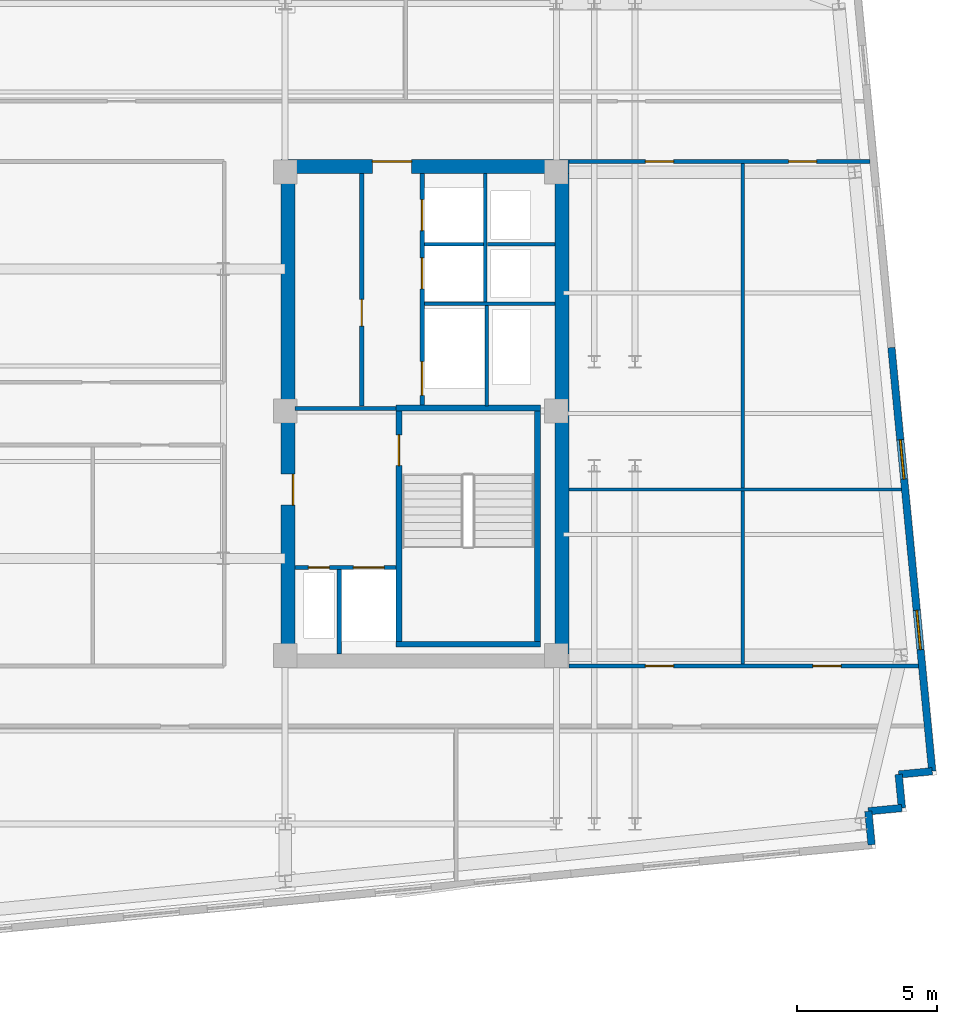
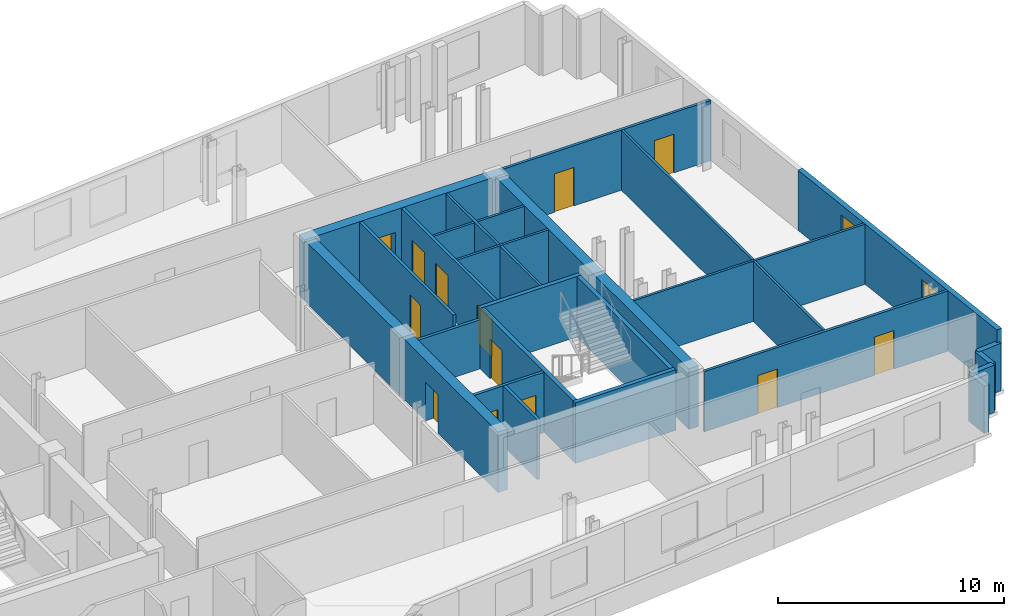
# One storey, part 5 of 8: 26 walls, 13 doors, 2 windows, 15 openings.
"""IFC4 building model written with IfcOpenShell, lengths in metres."""

from ifc_helpers import new_model, si_unit, direction, frame, frame_2d, origin, place, context, subcontext, project, spatial, rectangle, extrude, material, layer, layer_set, type_object, element, fill, save


model = new_model("IFC4")

# Units and contexts
model_context = context("Model", 3, precision=1e-05, world=origin(), true_north=direction((0.0, 1.0)))
body_context = subcontext(model_context, "Body", "Model", "MODEL_VIEW")
ifc_project = project(units=[si_unit("LENGTHUNIT", "METRE"), si_unit("AREAUNIT", "SQUARE_METRE"), si_unit("VOLUMEUNIT", "CUBIC_METRE"), si_unit("PLANEANGLEUNIT", "RADIAN"), si_unit("MASSUNIT", "GRAM", prefix="KILO")], contexts=[model_context])

# Site, building, storey
site_placement = place(None, origin())
site = spatial("IfcSite", under=ifc_project, at=site_placement, CompositionType="ELEMENT")
building_placement = place(site_placement, origin())
building = spatial("IfcBuilding", under=site, at=building_placement, Name="Velakula Bourse", CompositionType="ELEMENT")
storey_placement = place(building_placement, frame((0.0, 0.0, 251.699951171875)))
storey = spatial("IfcBuildingStorey", under=building, at=storey_placement, Name="L68", CompositionType="ELEMENT", Elevation=251.699951171875)

# Wall, opening, door
ifc_material_1 = material(Name="Concrete M50 (fck 50 MPa)", Category="concrete")
ifc_layer_1 = layer(ifc_material_1, 0.2099609375, Name="Concrete M50 (fck 50 MPa)", Category="concrete")
ifc_layer_set_1 = layer_set([ifc_layer_1], Name="Concrete M50 (fck 50 MPa)")
wall_type_1 = type_object("IfcWallType", Name="WL-CORE-210", PredefinedType="SHEAR", material=ifc_layer_set_1)
wall_1_placement = place(storey_placement, frame((12.9951171875, -8.10009765625, 0.0), z_axis=(0.0, 0.0, 1.0), x_axis=(0.0, 1.0, 0.0)))
wall_1 = element("IfcWall", 1, at=wall_1_placement, inside=storey, type_object=wall_type_1, Name="L68 Core E Stairwell Shear Wall IN", PredefinedType="SHEAR", context=body_context, shape_type="SweptSolid", body=[
    extrude(rectangle(XDim=8.2001953125, YDim=0.2099609375, at=frame_2d((4.10009765625, 0.0))), origin(), (0.0, 0.0, 1.0), 3.27001953125),
])
opening_1_placement = place(wall_1_placement, frame((6.25, 0.0, 0.0)))
opening_1 = element("IfcOpeningElement", 2, at=opening_1_placement, cuts=wall_1, Name="Opening D-STE1", PredefinedType="OPENING", context=body_context, shape_type="SweptSolid", body=[
    extrude(rectangle(XDim=1.10009765625, YDim=2.14990234375, at=frame_2d((0.550048828125, 1.074951171875))), frame((0.0, 0.114990234375, 0.0), z_axis=(0.0, -1.0, 0.0), x_axis=(1.0, 0.0, 0.0)), (0.0, 0.0, 1.0), 0.22998046875),
])
ifc_material_2 = material(Name="Galvanised painted hollow steel fire door", Category="steel")
door_type_1 = type_object("IfcDoorType", Name="DR-FD120-1100x2150", OperationType="NOTDEFINED", PredefinedType="DOOR", material=ifc_material_2)
door_1_placement = place(opening_1_placement, origin())
door_1 = element("IfcDoor", 3, at=door_1_placement, inside=storey, type_object=door_type_1, Name="L68 Stair ST-E1 Fire Door", OperationType="SINGLE_SWING_RIGHT", OverallHeight=2.14990234375, OverallWidth=1.10009765625, PredefinedType="DOOR", context=body_context, shape_type="SweptSolid", body=[
    extrude(rectangle(XDim=1.10009765625, YDim=2.14990234375, at=frame_2d((0.550048828125, 1.074951171875))), frame((0.0, 0.02490234375, 0.0), z_axis=(0.0, -1.0, 0.0), x_axis=(1.0, 0.0, 0.0)), (0.0, 0.0, 1.0), 0.050048828125),
])
fill(opening_1, door_1)

# Walls
wall_2_placement = place(storey_placement, frame((17.925048828125, -8.10009765625, 0.0), z_axis=(0.0, 0.0, 1.0), x_axis=(0.0, 1.0, 0.0)))
element("IfcWall", 4, at=wall_2_placement, inside=storey, type_object=wall_type_1, Name="L68 Core E Stairwell Shear Wall OUT", PredefinedType="SHEAR", context=body_context, shape_type="SweptSolid", body=[
    extrude(rectangle(XDim=8.2001953125, YDim=0.2099609375, at=frame_2d((4.10009765625, 0.0))), origin(), (0.0, 0.0, 1.0), 3.27001953125),
])
for number, where, z_axis, x_axis, name in (
    (5, (12.889892578125, -8.205078125, 0.0), (0.0, 0.0, 1.0), (1.0, 0.0, 0.0), "L68 Core E Stairwell Shear Wall S"),
    (6, (18.030029296875, 0.205078125, 0.0), (0.0, 0.0, 1.0), (-1.0, 0.0, 0.0), "L68 Core E Stairwell Shear Wall N"),
):
    element("IfcWall", number, at=place(storey_placement, frame(where, z_axis=z_axis, x_axis=x_axis)), inside=storey, type_object=wall_type_1, Name=name, PredefinedType="SHEAR", context=body_context, shape_type="SweptSolid", body=[
        extrude(rectangle(XDim=5.14013671875, YDim=0.2099609375, at=frame_2d((2.570068359375, 0.0))), origin(), (0.0, 0.0, 1.0), 3.27001953125),
    ])

# Wall, opening, door
ifc_layer_2 = layer(ifc_material_1, 0.5, Name="Concrete M50 (fck 50 MPa)", Category="concrete")
ifc_layer_set_2 = layer_set([ifc_layer_2], Name="Concrete M50 (fck 50 MPa)")
wall_type_2 = type_object("IfcWallType", Name="WL-CORE-500", PredefinedType="SHEAR", material=ifc_layer_set_2)
wall_3_placement = place(storey_placement, frame((8.800048828125, 8.800048828125, 0.0), z_axis=(0.0, 0.0, 1.0), x_axis=(1.0, 0.0, 0.0)))
wall_3 = element("IfcWall", 7, at=wall_3_placement, inside=storey, type_object=wall_type_2, Name="L68 Core E Shear Wall N", PredefinedType="SHEAR", context=body_context, shape_type="SweptSolid", body=[
    extrude(rectangle(XDim=10.25, YDim=0.5, at=frame_2d((5.125, 0.0))), origin(), (0.0, 0.0, 1.0), 3.27001953125),
])
opening_2_placement = place(wall_3_placement, frame((3.25, 0.0, 0.0)))
opening_2 = element("IfcOpeningElement", 8, at=opening_2_placement, cuts=wall_3, Name="Opening D-LLE", PredefinedType="OPENING", context=body_context, shape_type="SweptSolid", body=[
    extrude(rectangle(XDim=1.39990234375, YDim=2.050048828125, at=frame_2d((0.699951171875, 1.02490234375))), frame((0.0, 0.260009765625, 0.0), z_axis=(0.0, -1.0, 0.0), x_axis=(1.0, 0.0, 0.0)), (0.0, 0.0, 1.0), 0.52001953125),
])
ifc_material_3 = material(Name="Fire-rated hardwood flush architectural door", Category="wood")
door_type_2 = type_object("IfcDoorType", Name="DR-DBL-FD60-1400", OperationType="DOUBLE_DOOR_SINGLE_SWING", PredefinedType="DOOR", material=ifc_material_3)
door_2_placement = place(opening_2_placement, origin())
door_2 = element("IfcDoor", 9, at=door_2_placement, inside=storey, type_object=door_type_2, Name="L68 Core E Lift Lobby Corridor Double Door", OperationType="DOUBLE_DOOR_SINGLE_SWING", OverallHeight=2.050048828125, OverallWidth=1.39990234375, PredefinedType="DOOR", context=body_context, shape_type="SweptSolid", body=[
    extrude(rectangle(XDim=1.39990234375, YDim=2.050048828125, at=frame_2d((0.699951171875, 1.02490234375))), frame((0.0, 0.19482421875, 0.0), z_axis=(0.0, -1.0, 0.0), x_axis=(1.0, 0.0, 0.0)), (0.0, 0.0, 1.0), 0.050048828125),
])
fill(opening_2, door_2)

wall_4_placement = place(storey_placement, frame((9.050048828125, -8.550048828125, 0.0), z_axis=(0.0, 0.0, 1.0), x_axis=(0.0, 1.0, 0.0)))
wall_4 = element("IfcWall", 10, at=wall_4_placement, inside=storey, type_object=wall_type_2, Name="L68 Core E Shear Wall W", PredefinedType="SHEAR", context=body_context, shape_type="SweptSolid", body=[
    extrude(rectangle(XDim=17.10009765625, YDim=0.5, at=frame_2d((8.550048828125, 0.0))), origin(), (0.0, 0.0, 1.0), 3.27001953125),
])
opening_3_placement = place(wall_4_placement, frame((5.300048828125, 0.0, 0.0)))
opening_3 = element("IfcOpeningElement", 11, at=opening_3_placement, cuts=wall_4, Name="Opening D-FLE", PredefinedType="OPENING", context=body_context, shape_type="SweptSolid", body=[
    extrude(rectangle(XDim=1.10009765625, YDim=2.080078125, at=frame_2d((0.550048828125, 1.0400390625))), frame((0.0, 0.260009765625, 0.0), z_axis=(0.0, -1.0, 0.0), x_axis=(1.0, 0.0, 0.0)), (0.0, 0.0, 1.0), 0.52001953125),
])
door_type_3 = type_object("IfcDoorType", Name="DR-FD120-1100", OperationType="NOTDEFINED", PredefinedType="DOOR", material=ifc_material_2)
door_3_placement = place(opening_3_placement, origin())
door_3 = element("IfcDoor", 12, at=door_3_placement, inside=storey, type_object=door_type_3, Name="L68 Firefighting Lobby E Corridor Fire Door", OperationType="SINGLE_SWING_RIGHT", OverallHeight=2.080078125, OverallWidth=1.10009765625, PredefinedType="DOOR", context=body_context, shape_type="SweptSolid", body=[
    extrude(rectangle(XDim=1.10009765625, YDim=2.080078125, at=frame_2d((0.550048828125, 1.0400390625))), frame((0.0, -0.15478515625, 0.0), z_axis=(0.0, -1.0, 0.0), x_axis=(1.0, 0.0, 0.0)), (0.0, 0.0, 1.0), 0.050048828125),
])
fill(opening_3, door_3)

# Wall
wall_5_placement = place(storey_placement, frame((18.800048828125, -8.550048828125, 0.0), z_axis=(0.0, 0.0, 1.0), x_axis=(0.0, 1.0, 0.0)))
element("IfcWall", 13, at=wall_5_placement, inside=storey, type_object=wall_type_2, Name="L68 Core E Shear Wall E", PredefinedType="SHEAR", context=body_context, shape_type="SweptSolid", body=[
    extrude(rectangle(XDim=17.10009765625, YDim=0.5, at=frame_2d((8.550048828125, 0.0))), origin(), (0.0, 0.0, 1.0), 3.27001953125),
])

# Wall, openings, windows
ifc_material_4 = material(Name="Buff kilned clay facing brick masonry", Category="masonry")
ifc_layer_3 = layer(ifc_material_4, 0.260009765625, Name="Buff kilned clay facing brick masonry", Category="masonry")
ifc_layer_set_3 = layer_set([ifc_layer_3], Name="Buff kilned clay facing brick masonry")
wall_type_3 = type_object("IfcWallType", Name="WL-EXT-BRK-260", PredefinedType="STANDARD", material=ifc_layer_set_3)
wall_6_placement = place(storey_placement, frame((30.52734375, 2.354248046875, 0.0), z_axis=(0.0, 0.0, 1.0), x_axis=(0.095850890337, -0.995395703638, 0.0)))
wall_6 = element("IfcWall", 14, at=wall_6_placement, inside=storey, type_object=wall_type_3, Name="L68 E Brick End Wall W1", PredefinedType="STANDARD", context=body_context, shape_type="SweptSolid", body=[
    extrude(rectangle(XDim=15.150146484375, YDim=0.260009765625, at=frame_2d((7.5751953125, 0.0))), origin(), (0.0, 0.0, 1.0), 3.25),
])
opening_4_placement = place(wall_6_placement, frame((3.300048828125, 0.0, 0.760009765625)))
opening_4 = element("IfcOpeningElement", 15, at=opening_4_placement, cuts=wall_6, Name="Opening W-03", PredefinedType="OPENING", context=body_context, shape_type="SweptSolid", body=[
    extrude(rectangle(XDim=1.39990234375, YDim=1.949951171875, at=frame_2d((0.699951171875, 0.97509765625))), frame((0.0, 0.139892578125, 0.0), z_axis=(0.0, -1.0, 0.0), x_axis=(1.0, 0.0, 0.0)), (0.0, 0.0, 1.0), 0.280029296875),
])
opening_5_placement = place(wall_6_placement, frame((9.39990234375, 0.0, 0.760009765625)))
opening_5 = element("IfcOpeningElement", 16, at=opening_5_placement, cuts=wall_6, Name="Opening W-03", PredefinedType="OPENING", context=body_context, shape_type="SweptSolid", body=[
    extrude(rectangle(XDim=1.39990234375, YDim=1.949951171875, at=frame_2d((0.699951171875, 0.97509765625))), frame((0.0, 0.139892578125, 0.0), z_axis=(0.0, -1.0, 0.0), x_axis=(1.0, 0.0, 0.0)), (0.0, 0.0, 1.0), 0.280029296875),
])
ifc_material_5 = material(Name="Double-glazed solar-control Low-E glass", Category="glass")
window_type = type_object("IfcWindowType", Name="WIN-TWR-1400x2100", PartitioningType="SINGLE_PANEL", PredefinedType="WINDOW", material=ifc_material_5)
window_1_placement = place(opening_4_placement, origin())
window_1 = element("IfcWindow", 17, at=window_1_placement, inside=storey, type_object=window_type, Name="L68 Deep-Set Recessed Window 1", OverallHeight=1.949951171875, OverallWidth=1.39990234375, PartitioningType="SINGLE_PANEL", PredefinedType="WINDOW", context=body_context, shape_type="SweptSolid", body=[
    extrude(rectangle(XDim=1.39990234375, YDim=1.949951171875, at=frame_2d((0.699951171875, 0.97509765625))), frame((0.0, 0.030029296875, 0.0), z_axis=(0.0, -1.0, 0.0), x_axis=(1.0, 0.0, 0.0)), (0.0, 0.0, 1.0), 0.06005859375),
])
fill(opening_4, window_1)
window_2_placement = place(opening_5_placement, origin())
window_2 = element("IfcWindow", 18, at=window_2_placement, inside=storey, type_object=window_type, Name="L68 Deep-Set Recessed Window 2", OverallHeight=1.949951171875, OverallWidth=1.39990234375, PartitioningType="SINGLE_PANEL", PredefinedType="WINDOW", context=body_context, shape_type="SweptSolid", body=[
    extrude(rectangle(XDim=1.39990234375, YDim=1.949951171875, at=frame_2d((0.699951171875, 0.97509765625))), frame((0.0, 0.030029296875, 0.0), z_axis=(0.0, -1.0, 0.0), x_axis=(1.0, 0.0, 0.0)), (0.0, 0.0, 1.0), 0.06005859375),
])
fill(opening_5, window_2)

# Walls
for number, where, z_axis, x_axis, name in (
    (19, (29.820556640625, -15.344970703125, 0.0), (0.0, 0.0, 1.0), (-0.096018626938, 0.995379537303, 0.0), "L68 Serrated Corner Brick Wall SE-1"),
    (20, (29.705322265625, -14.150390625, 0.0), (0.0, 0.0, 1.0), (0.995398960025, 0.095817067274, 0.0), "L68 Serrated Corner Brick Wall SE-2"),
):
    element("IfcWall", number, at=place(storey_placement, frame(where, z_axis=z_axis, x_axis=x_axis)), inside=storey, type_object=wall_type_3, Name=name, PredefinedType="STANDARD", context=body_context, shape_type="SweptSolid", body=[
        extrude(rectangle(XDim=1.2001953125, YDim=0.260009765625, at=frame_2d((0.60009765625, 0.0))), origin(), (0.0, 0.0, 1.0), 2.56494140625),
    ])
wall_7_placement = place(storey_placement, frame((30.89990234375, -14.035400390625, 0.0), z_axis=(0.0, 0.0, 1.0), x_axis=(-0.095836473879, 0.995397091755, 0.0)))
element("IfcWall", 21, at=wall_7_placement, inside=storey, type_object=wall_type_3, Name="L68 Serrated Corner Brick Wall SE-3", PredefinedType="STANDARD", context=body_context, shape_type="SweptSolid", body=[
    extrude(rectangle(XDim=1.199951171875, YDim=0.260009765625, at=frame_2d((0.60009765625, 0.0))), origin(), (0.0, 0.0, 1.0), 2.56494140625),
])
wall_8_placement = place(storey_placement, frame((30.784912109375, -12.841064453125, 0.0), z_axis=(0.0, 0.0, 1.0), x_axis=(0.995398960025, 0.095817067274, 0.0)))
element("IfcWall", 22, at=wall_8_placement, inside=storey, type_object=wall_type_3, Name="L68 Serrated Corner Brick Wall SE-4", PredefinedType="STANDARD", context=body_context, shape_type="SweptSolid", body=[
    extrude(rectangle(XDim=1.2001953125, YDim=0.260009765625, at=frame_2d((0.60009765625, 0.0))), origin(), (0.0, 0.0, 1.0), 2.56494140625),
])
ifc_material_6 = material(Name="Fire-rated double-layer gypsum drywall partition", Category="gypsum")
ifc_layer_4 = layer(ifc_material_6, 0.1201171875, Name="Fire-rated double-layer gypsum drywall partition", Category="gypsum")
ifc_layer_set_4 = layer_set([ifc_layer_4], Name="Fire-rated double-layer gypsum drywall partition")
wall_type_4 = type_object("IfcWallType", Name="WL-PART-120", PredefinedType="STANDARD", material=ifc_layer_set_4)
wall_9_placement = place(storey_placement, frame((13.89990234375, 3.919921875, 0.0), z_axis=(0.0, 0.0, 1.0), x_axis=(1.0, 0.0, 0.0)))
element("IfcWall", 23, at=wall_9_placement, inside=storey, type_object=wall_type_4, Name="L68 Interior Partition WL-CRE-L68-HI-S", PredefinedType="STANDARD", context=body_context, shape_type="SweptSolid", body=[
    extrude(rectangle(XDim=4.650146484375, YDim=0.1201171875, at=frame_2d((2.3251953125, 0.0))), origin(), (0.0, 0.0, 1.0), 3.25),
])
wall_10_placement = place(storey_placement, frame((16.14990234375, 6.030029296875, 0.0), z_axis=(0.0, 0.0, 1.0), x_axis=(1.0, 0.0, 0.0)))
element("IfcWall", 24, at=wall_10_placement, inside=storey, type_object=wall_type_4, Name="L68 Interior Partition WL-CRE-L68-RIS-MID", PredefinedType="STANDARD", context=body_context, shape_type="SweptSolid", body=[
    extrude(rectangle(XDim=2.400146484375, YDim=0.1201171875, at=frame_2d((1.2001953125, 0.0))), origin(), (0.0, 0.0, 1.0), 3.25),
])
wall_11_placement = place(storey_placement, frame((16.074951171875, 3.97998046875, 0.0), z_axis=(0.0, 0.0, 1.0), x_axis=(0.0, 1.0, 0.0)))
element("IfcWall", 25, at=wall_11_placement, inside=storey, type_object=wall_type_4, Name="L68 Interior Partition WL-CRE-L68-RIS-F", PredefinedType="STANDARD", context=body_context, shape_type="SweptSolid", body=[
    extrude(rectangle(XDim=4.570068359375, YDim=0.1201171875, at=frame_2d((2.28515625, 0.0))), origin(), (0.0, 0.0, 1.0), 3.25),
])
wall_12_placement = place(storey_placement, frame((13.89990234375, 6.030029296875, 0.0), z_axis=(0.0, 0.0, 1.0), x_axis=(1.0, 0.0, 0.0)))
element("IfcWall", 26, at=wall_12_placement, inside=storey, type_object=wall_type_4, Name="L68 Interior Partition WL-CRE-L68-HI-DIV", PredefinedType="STANDARD", context=body_context, shape_type="SweptSolid", body=[
    extrude(rectangle(XDim=2.10009765625, YDim=0.1201171875, at=frame_2d((1.050048828125, 0.0))), origin(), (0.0, 0.0, 1.0), 3.25),
])
wall_13_placement = place(storey_placement, frame((16.125, 0.27001953125, 0.0), z_axis=(0.0, 0.0, 1.0), x_axis=(0.0, 1.0, 0.0)))
element("IfcWall", 27, at=wall_13_placement, inside=storey, type_object=wall_type_4, Name="L68 Interior Partition WL-CRE-L68-SVL-E", PredefinedType="STANDARD", context=body_context, shape_type="SweptSolid", body=[
    extrude(rectangle(XDim=3.590087890625, YDim=0.1201171875, at=frame_2d((1.794921875, 0.0))), origin(), (0.0, 0.0, 1.0), 3.25),
])
wall_14_placement = place(storey_placement, frame((19.050048828125, -2.699951171875, 0.0), z_axis=(0.0, 0.0, 1.0), x_axis=(1.0, 0.0, 0.0)))
element("IfcWall", 28, at=wall_14_placement, inside=storey, type_object=wall_type_4, Name="L68 Interior Partition WL-INT-L68-E-H", PredefinedType="STANDARD", context=body_context, shape_type="SweptSolid", body=[
    extrude(rectangle(XDim=11.833251953125, YDim=0.1201171875, at=frame_2d((5.91650390625, 0.0))), origin(), (0.0, 0.0, 1.0), 3.25),
])
wall_15_placement = place(storey_placement, frame((25.239013671875, -8.97998046875, 0.0), z_axis=(0.0, 0.0, 1.0), x_axis=(0.0, 1.0, 0.0)))
element("IfcWall", 29, at=wall_15_placement, inside=storey, type_object=wall_type_4, Name="L68 Interior Partition WL-INT-L68-E-V1", PredefinedType="STANDARD", context=body_context, shape_type="SweptSolid", body=[
    extrude(rectangle(XDim=17.9599609375, YDim=0.1201171875, at=frame_2d((8.97998046875, 0.0))), origin(), (0.0, 0.0, 1.0), 3.25),
])

# Wall, openings, doors
ifc_layer_5 = layer(ifc_material_6, 0.139892578125, Name="Fire-rated double-layer gypsum drywall partition", Category="gypsum")
ifc_layer_set_5 = layer_set([ifc_layer_5], Name="Fire-rated double-layer gypsum drywall partition")
wall_type_5 = type_object("IfcWallType", Name="WL-PART-140", PredefinedType="STANDARD", material=ifc_layer_set_5)
wall_16_placement = place(storey_placement, frame((19.050048828125, 8.97998046875, 0.0), z_axis=(0.0, 0.0, 1.0), x_axis=(1.0, 0.0, 0.0)))
wall_16 = element("IfcWall", 30, at=wall_16_placement, inside=storey, type_object=wall_type_5, Name="L68 Interior Partition WL-INT-L68-E-NC", PredefinedType="STANDARD", context=body_context, shape_type="SweptSolid", body=[
    extrude(rectangle(XDim=10.708740234375, YDim=0.139892578125, at=frame_2d((5.3544921875, 0.0))), origin(), (0.0, 0.0, 1.0), 3.25),
])
opening_6_placement = place(wall_16_placement, frame((2.724609375, 0.0, 0.0)))
opening_6 = element("IfcOpeningElement", 31, at=opening_6_placement, cuts=wall_16, Name="Opening D-OF1", PredefinedType="OPENING", context=body_context, shape_type="SweptSolid", body=[
    extrude(rectangle(XDim=1.0, YDim=2.080078125, at=frame_2d((0.5, 1.0400390625))), frame((0.0, 0.079833984375, 0.0), z_axis=(0.0, -1.0, 0.0), x_axis=(1.0, 0.0, 0.0)), (0.0, 0.0, 1.0), 0.159912109375),
])
opening_7_placement = place(wall_16_placement, frame((7.81884765625, 0.0, 0.0)))
opening_7 = element("IfcOpeningElement", 32, at=opening_7_placement, cuts=wall_16, Name="Opening D-OF1", PredefinedType="OPENING", context=body_context, shape_type="SweptSolid", body=[
    extrude(rectangle(XDim=1.0, YDim=2.080078125, at=frame_2d((0.5, 1.0400390625))), frame((0.0, 0.079833984375, 0.0), z_axis=(0.0, -1.0, 0.0), x_axis=(1.0, 0.0, 0.0)), (0.0, 0.0, 1.0), 0.159912109375),
])
door_type_4 = type_object("IfcDoorType", Name="DR-OFF-1000", OperationType="NOTDEFINED", PredefinedType="DOOR", material=ifc_material_3)
door_4_placement = place(opening_6_placement, origin())
door_4 = element("IfcDoor", 33, at=door_4_placement, inside=storey, type_object=door_type_4, Name="L68 Chief Risk Officer Chamber Door", OperationType="SINGLE_SWING_LEFT", OverallHeight=2.080078125, OverallWidth=1.0, PredefinedType="DOOR", context=body_context, shape_type="SweptSolid", body=[
    extrude(rectangle(XDim=1.0, YDim=2.080078125, at=frame_2d((0.5, 1.0400390625))), frame((0.0, 0.02490234375, 0.0), z_axis=(0.0, -1.0, 0.0), x_axis=(1.0, 0.0, 0.0)), (0.0, 0.0, 1.0), 0.050048828125),
])
fill(opening_6, door_4)
door_5_placement = place(opening_7_placement, origin())
door_5 = element("IfcDoor", 34, at=door_5_placement, inside=storey, type_object=door_type_4, Name="L68 Listing Committee Chamber Door", OperationType="SINGLE_SWING_RIGHT", OverallHeight=2.080078125, OverallWidth=1.0, PredefinedType="DOOR", context=body_context, shape_type="SweptSolid", body=[
    extrude(rectangle(XDim=1.0, YDim=2.080078125, at=frame_2d((0.5, 1.0400390625))), frame((0.0, 0.02490234375, 0.0), z_axis=(0.0, -1.0, 0.0), x_axis=(1.0, 0.0, 0.0)), (0.0, 0.0, 1.0), 0.050048828125),
])
fill(opening_7, door_5)

wall_17_placement = place(storey_placement, frame((19.050048828125, -8.97998046875, 0.0), z_axis=(0.0, 0.0, 1.0), x_axis=(1.0, 0.0, 0.0)))
wall_17 = element("IfcWall", 35, at=wall_17_placement, inside=storey, type_object=wall_type_5, Name="L68 Interior Partition WL-INT-L68-E-SC", PredefinedType="STANDARD", context=body_context, shape_type="SweptSolid", body=[
    extrude(rectangle(XDim=12.43798828125, YDim=0.139892578125, at=frame_2d((6.218994140625, 0.0))), origin(), (0.0, 0.0, 1.0), 3.25),
])
opening_8_placement = place(wall_17_placement, frame((2.724609375, 0.0, 0.0)))
opening_8 = element("IfcOpeningElement", 36, at=opening_8_placement, cuts=wall_17, Name="Opening D-OF1", PredefinedType="OPENING", context=body_context, shape_type="SweptSolid", body=[
    extrude(rectangle(XDim=1.0, YDim=2.080078125, at=frame_2d((0.5, 1.0400390625))), frame((0.0, 0.079833984375, 0.0), z_axis=(0.0, -1.0, 0.0), x_axis=(1.0, 0.0, 0.0)), (0.0, 0.0, 1.0), 0.159912109375),
])
opening_9_placement = place(wall_17_placement, frame((8.68359375, 0.0, 0.0)))
opening_9 = element("IfcOpeningElement", 37, at=opening_9_placement, cuts=wall_17, Name="Opening D-OF1", PredefinedType="OPENING", context=body_context, shape_type="SweptSolid", body=[
    extrude(rectangle(XDim=1.0, YDim=2.080078125, at=frame_2d((0.5, 1.0400390625))), frame((0.0, 0.079833984375, 0.0), z_axis=(0.0, -1.0, 0.0), x_axis=(1.0, 0.0, 0.0)), (0.0, 0.0, 1.0), 0.159912109375),
])
door_6_placement = place(opening_8_placement, origin())
door_6 = element("IfcDoor", 38, at=door_6_placement, inside=storey, type_object=door_type_4, Name="L68 Chief Risk Officer Chamber Door", OperationType="SINGLE_SWING_LEFT", OverallHeight=2.080078125, OverallWidth=1.0, PredefinedType="DOOR", context=body_context, shape_type="SweptSolid", body=[
    extrude(rectangle(XDim=1.0, YDim=2.080078125, at=frame_2d((0.5, 1.0400390625))), frame((0.0, 0.02490234375, 0.0), z_axis=(0.0, -1.0, 0.0), x_axis=(1.0, 0.0, 0.0)), (0.0, 0.0, 1.0), 0.050048828125),
])
fill(opening_8, door_6)
door_7_placement = place(opening_9_placement, origin())
door_7 = element("IfcDoor", 39, at=door_7_placement, inside=storey, type_object=door_type_4, Name="L68 Listing Committee Chamber Door", OperationType="SINGLE_SWING_RIGHT", OverallHeight=2.080078125, OverallWidth=1.0, PredefinedType="DOOR", context=body_context, shape_type="SweptSolid", body=[
    extrude(rectangle(XDim=1.0, YDim=2.080078125, at=frame_2d((0.5, 1.0400390625))), frame((0.0, 0.02490234375, 0.0), z_axis=(0.0, -1.0, 0.0), x_axis=(1.0, 0.0, 0.0)), (0.0, 0.0, 1.0), 0.050048828125),
])
fill(opening_9, door_7)

ifc_material_7 = material(Name="Autoclaved aerated concrete blockwork masonry", Category="masonry")
ifc_layer_6 = layer(ifc_material_7, 0.14990234375, Name="Autoclaved aerated concrete blockwork masonry", Category="masonry")
ifc_layer_set_6 = layer_set([ifc_layer_6], Name="Autoclaved aerated concrete blockwork masonry")
wall_type_6 = type_object("IfcWallType", Name="WL-SHAFT-150", PredefinedType="STANDARD", material=ifc_layer_set_6)
wall_18_placement = place(storey_placement, frame((9.300048828125, -5.47509765625, 0.0), z_axis=(0.0, 0.0, 1.0), x_axis=(1.0, 0.0, 0.0)))
wall_18 = element("IfcWall", 40, at=wall_18_placement, inside=storey, type_object=wall_type_6, Name="L68 Interior Partition WL-CRE-L68-FFL-N", PredefinedType="STANDARD", context=body_context, shape_type="SweptSolid", body=[
    extrude(rectangle(XDim=3.594970703125, YDim=0.14990234375, at=frame_2d((1.79736328125, 0.0))), origin(), (0.0, 0.0, 1.0), 3.25),
])
opening_10_placement = place(wall_18_placement, frame((2.074951171875, 0.0, 0.0)))
opening_10 = element("IfcOpeningElement", 41, at=opening_10_placement, cuts=wall_18, Name="Opening LD-FFL-2", PredefinedType="OPENING", context=body_context, shape_type="SweptSolid", body=[
    extrude(rectangle(XDim=1.10009765625, YDim=2.14990234375, at=frame_2d((0.550048828125, 1.074951171875))), frame((0.0, 0.0849609375, 0.0), z_axis=(0.0, -1.0, 0.0), x_axis=(1.0, 0.0, 0.0)), (0.0, 0.0, 1.0), 0.169921875),
])
opening_11_placement = place(wall_18_placement, frame((0.47509765625, 0.0, 0.0)))
opening_11 = element("IfcOpeningElement", 42, at=opening_11_placement, cuts=wall_18, Name="Opening D-RS1", PredefinedType="OPENING", context=body_context, shape_type="SweptSolid", body=[
    extrude(rectangle(XDim=0.75, YDim=2.050048828125, at=frame_2d((0.375, 1.02490234375))), frame((0.0, 0.0849609375, 0.0), z_axis=(0.0, -1.0, 0.0), x_axis=(1.0, 0.0, 0.0)), (0.0, 0.0, 1.0), 0.169921875),
])
door_type_5 = type_object("IfcDoorType", Name="DR-RISER-800", OperationType="NOTDEFINED", PredefinedType="DOOR", material=ifc_material_2)
door_8_placement = place(opening_11_placement, origin())
door_8 = element("IfcDoor", 43, at=door_8_placement, inside=storey, type_object=door_type_5, Name="L68 Fire Riser Access Door", OperationType="SINGLE_SWING_LEFT", OverallHeight=2.050048828125, OverallWidth=0.75, PredefinedType="DOOR", context=body_context, shape_type="SweptSolid", body=[
    extrude(rectangle(XDim=0.75, YDim=2.050048828125, at=frame_2d((0.375, 1.02490234375))), frame((0.0, 0.02490234375, 0.0), z_axis=(0.0, -1.0, 0.0), x_axis=(1.0, 0.0, 0.0)), (0.0, 0.0, 1.0), 0.050048828125),
])
fill(opening_11, door_8)
ifc_material_8 = material(Name="Brushed grade 316 stainless steel", Category="steel")
door_type_6 = type_object("IfcDoorType", Name="DR-SLIDE-FFL-1100", OperationType="DOUBLE_DOOR_SLIDING", PredefinedType="DOOR", material=ifc_material_8)
door_9_placement = place(opening_10_placement, origin())
door_9 = element("IfcDoor", 44, at=door_9_placement, inside=storey, type_object=door_type_6, Name="L68 Firefighting Lift FFL-2 Sliding Landing Door", OperationType="DOUBLE_DOOR_SLIDING", OverallHeight=2.14990234375, OverallWidth=1.10009765625, PredefinedType="DOOR", context=body_context, shape_type="SweptSolid", body=[
    extrude(rectangle(XDim=1.10009765625, YDim=2.14990234375, at=frame_2d((0.550048828125, 1.074951171875))), frame((0.0, 0.02490234375, 0.0), z_axis=(0.0, -1.0, 0.0), x_axis=(1.0, 0.0, 0.0)), (0.0, 0.0, 1.0), 0.050048828125),
])
fill(opening_10, door_9)

# Walls
wall_19_placement = place(storey_placement, frame((10.875, -8.550048828125, 0.0), z_axis=(0.0, 0.0, 1.0), x_axis=(0.0, 1.0, 0.0)))
element("IfcWall", 45, at=wall_19_placement, inside=storey, type_object=wall_type_6, Name="L68 Interior Partition WL-CRE-L68-FR-DIV", PredefinedType="STANDARD", context=body_context, shape_type="SweptSolid", body=[
    extrude(rectangle(XDim=3.0, YDim=0.14990234375, at=frame_2d((1.5, 0.0))), origin(), (0.0, 0.0, 1.0), 3.25),
])
wall_20_placement = place(storey_placement, frame((9.300048828125, 0.18994140625, 0.0), z_axis=(0.0, 0.0, 1.0), x_axis=(1.0, 0.0, 0.0)))
element("IfcWall", 46, at=wall_20_placement, inside=storey, type_object=wall_type_6, Name="L68 Interior Partition WL-CRE-L68-FF-TOP", PredefinedType="STANDARD", context=body_context, shape_type="SweptSolid", body=[
    extrude(rectangle(XDim=3.58984375, YDim=0.14990234375, at=frame_2d((1.794921875, 0.0))), origin(), (0.0, 0.0, 1.0), 2.64501953125),
])

# Wall, opening, door
wall_21_placement = place(storey_placement, frame((11.675048828125, 0.27001953125, 0.0), z_axis=(0.0, 0.0, 1.0), x_axis=(0.0, 1.0, 0.0)))
wall_21 = element("IfcWall", 47, at=wall_21_placement, inside=storey, type_object=wall_type_6, Name="L68 Interior Partition WL-CRE-L68-BANK-F", PredefinedType="STANDARD", context=body_context, shape_type="SweptSolid", body=[
    extrude(rectangle(XDim=8.280029296875, YDim=0.14990234375, at=frame_2d((4.14013671875, 0.0))), origin(), (0.0, 0.0, 1.0), 3.25),
])
opening_12_placement = place(wall_21_placement, frame((2.85009765625, 0.0, 0.0)))
opening_12 = element("IfcOpeningElement", 48, at=opening_12_placement, cuts=wall_21, Name="Opening D-RC5", PredefinedType="OPENING", context=body_context, shape_type="SweptSolid", body=[
    extrude(rectangle(XDim=0.949951171875, YDim=2.050048828125, at=frame_2d((0.47509765625, 1.02490234375))), frame((0.0, 0.0849609375, 0.0), z_axis=(0.0, -1.0, 0.0), x_axis=(1.0, 0.0, 0.0)), (0.0, 0.0, 1.0), 0.169921875),
])
door_type_7 = type_object("IfcDoorType", Name="DR-FD60-950x2050", OperationType="NOTDEFINED", PredefinedType="DOOR", material=ifc_material_3)
door_10_placement = place(opening_12_placement, origin())
door_10 = element("IfcDoor", 49, at=door_10_placement, inside=storey, type_object=door_type_7, Name="L68 Reclaimed Multi-Bay Depository Room Door", OperationType="SINGLE_SWING_LEFT", OverallHeight=2.050048828125, OverallWidth=0.949951171875, PredefinedType="DOOR", context=body_context, shape_type="SweptSolid", body=[
    extrude(rectangle(XDim=0.949951171875, YDim=2.050048828125, at=frame_2d((0.47509765625, 1.02490234375))), frame((0.0, 0.02490234375, 0.0), z_axis=(0.0, -1.0, 0.0), x_axis=(1.0, 0.0, 0.0)), (0.0, 0.0, 1.0), 0.050048828125),
])
fill(opening_12, door_10)

# Wall, openings, doors
wall_22_placement = place(storey_placement, frame((13.824951171875, 0.27001953125, 0.0), z_axis=(0.0, 0.0, 1.0), x_axis=(0.0, 1.0, 0.0)))
wall_22 = element("IfcWall", 50, at=wall_22_placement, inside=storey, type_object=wall_type_6, Name="L68 Interior Partition WL-CRE-L68-OUT-F", PredefinedType="STANDARD", context=body_context, shape_type="SweptSolid", body=[
    extrude(rectangle(XDim=8.280029296875, YDim=0.14990234375, at=frame_2d((4.14013671875, 0.0))), origin(), (0.0, 0.0, 1.0), 3.25),
])
opening_13_placement = place(wall_22_placement, frame((4.175048828125, 0.0, 0.0)))
opening_13 = element("IfcOpeningElement", 51, at=opening_13_placement, cuts=wall_22, Name="Opening LD-P11", PredefinedType="OPENING", context=body_context, shape_type="SweptSolid", body=[
    extrude(rectangle(XDim=1.10009765625, YDim=2.10009765625, at=frame_2d((0.550048828125, 1.050048828125))), frame((0.0, 0.0849609375, 0.0), z_axis=(0.0, -1.0, 0.0), x_axis=(1.0, 0.0, 0.0)), (0.0, 0.0, 1.0), 0.169921875),
])
opening_14_placement = place(wall_22_placement, frame((6.2451171875, 0.0, 0.0)))
opening_14 = element("IfcOpeningElement", 52, at=opening_14_placement, cuts=wall_22, Name="Opening LD-P12", PredefinedType="OPENING", context=body_context, shape_type="SweptSolid", body=[
    extrude(rectangle(XDim=1.10009765625, YDim=2.10009765625, at=frame_2d((0.550048828125, 1.050048828125))), frame((0.0, 0.0849609375, 0.0), z_axis=(0.0, -1.0, 0.0), x_axis=(1.0, 0.0, 0.0)), (0.0, 0.0, 1.0), 0.169921875),
])
opening_15_placement = place(wall_22_placement, frame((0.3798828125, 0.0, 0.0)))
opening_15 = element("IfcOpeningElement", 53, at=opening_15_placement, cuts=wall_22, Name="Opening LD-SVL1", PredefinedType="OPENING", context=body_context, shape_type="SweptSolid", body=[
    extrude(rectangle(XDim=1.199951171875, YDim=2.10009765625, at=frame_2d((0.60009765625, 1.050048828125))), frame((0.0, 0.0849609375, 0.0), z_axis=(0.0, -1.0, 0.0), x_axis=(1.0, 0.0, 0.0)), (0.0, 0.0, 1.0), 0.169921875),
])
door_type_8 = type_object("IfcDoorType", Name="DR-SLIDE-LD-1100", OperationType="DOUBLE_DOOR_SLIDING", PredefinedType="DOOR", material=ifc_material_8)
door_11_placement = place(opening_13_placement, origin())
door_11 = element("IfcDoor", 54, at=door_11_placement, inside=storey, type_object=door_type_8, Name="L68 Passenger Lift P11 Sliding Landing Door", OperationType="DOUBLE_DOOR_SLIDING", OverallHeight=2.10009765625, OverallWidth=1.10009765625, PredefinedType="DOOR", context=body_context, shape_type="SweptSolid", body=[
    extrude(rectangle(XDim=1.10009765625, YDim=2.10009765625, at=frame_2d((0.550048828125, 1.050048828125))), frame((0.0, 0.02490234375, 0.0), z_axis=(0.0, -1.0, 0.0), x_axis=(1.0, 0.0, 0.0)), (0.0, 0.0, 1.0), 0.050048828125),
])
fill(opening_13, door_11)
door_12_placement = place(opening_14_placement, origin())
door_12 = element("IfcDoor", 55, at=door_12_placement, inside=storey, type_object=door_type_8, Name="L68 Passenger Lift P12 Sliding Landing Door", OperationType="DOUBLE_DOOR_SLIDING", OverallHeight=2.10009765625, OverallWidth=1.10009765625, PredefinedType="DOOR", context=body_context, shape_type="SweptSolid", body=[
    extrude(rectangle(XDim=1.10009765625, YDim=2.10009765625, at=frame_2d((0.550048828125, 1.050048828125))), frame((0.0, 0.02490234375, 0.0), z_axis=(0.0, -1.0, 0.0), x_axis=(1.0, 0.0, 0.0)), (0.0, 0.0, 1.0), 0.050048828125),
])
fill(opening_14, door_12)
door_type_9 = type_object("IfcDoorType", Name="DR-SLIDE-LD-1200", OperationType="DOUBLE_DOOR_SLIDING", PredefinedType="DOOR", material=ifc_material_8)
door_13_placement = place(opening_15_placement, origin())
door_13 = element("IfcDoor", 56, at=door_13_placement, inside=storey, type_object=door_type_9, Name="L68 Service Lift SVL-1 Sliding Landing Door", OperationType="DOUBLE_DOOR_SLIDING", OverallHeight=2.10009765625, OverallWidth=1.199951171875, PredefinedType="DOOR", context=body_context, shape_type="SweptSolid", body=[
    extrude(rectangle(XDim=1.199951171875, YDim=2.10009765625, at=frame_2d((0.60009765625, 1.050048828125))), frame((0.0, 0.02490234375, 0.0), z_axis=(0.0, -1.0, 0.0), x_axis=(1.0, 0.0, 0.0)), (0.0, 0.0, 1.0), 0.050048828125),
])
fill(opening_15, door_13)

save(model, "model.ifc")
